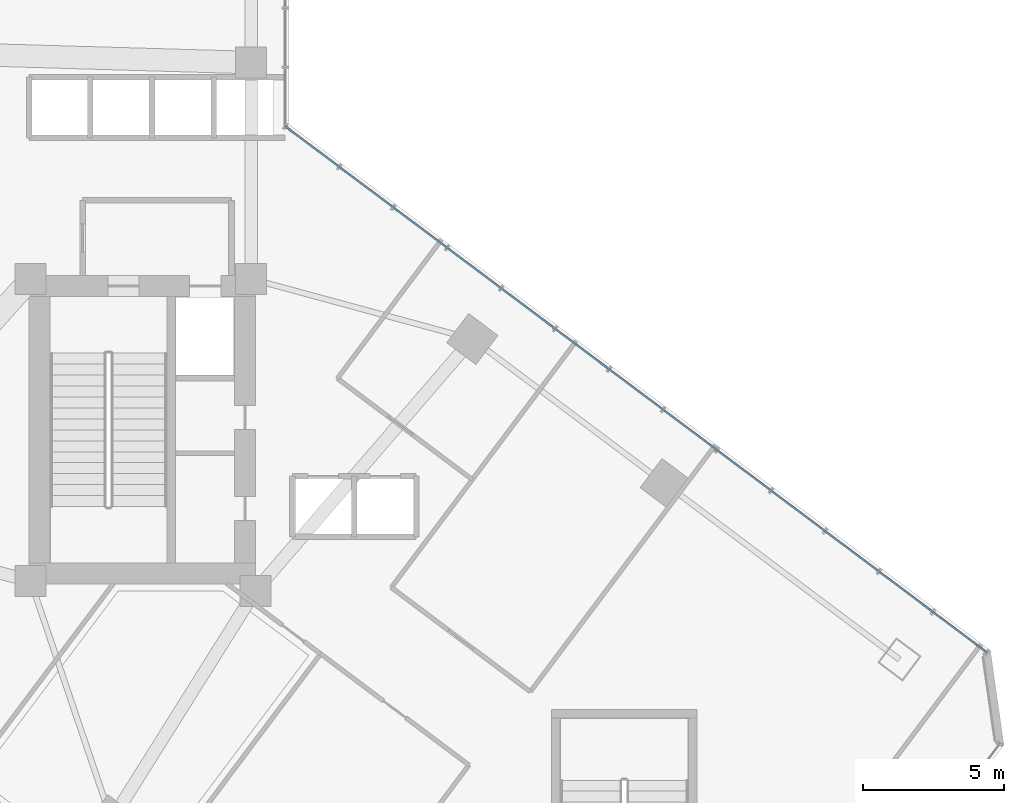
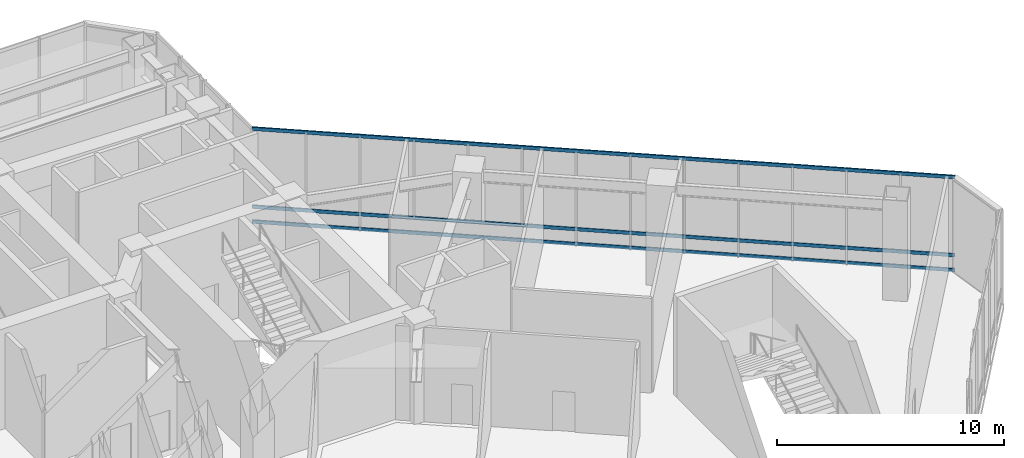
# One storey, part 8 of 35: 3 members, 1 element without a shape of its own.
"""IFC4 building model written with IfcOpenShell, lengths in metres."""

from ifc_helpers import new_model, si_unit, direction, frame, origin, origin_2d, place, context, subcontext, project, spatial, hollow_rectangle, extrude, material, layer, layer_set, material_profile, profile_set, type_object, element, aggregate, save


model = new_model("IFC4")

# Units and contexts
model_context = context("Model", 3, precision=1e-05, world=origin(), true_north=direction((0.0, 1.0)))
body_context = subcontext(model_context, "Body", "Model", "MODEL_VIEW")
ifc_project = project(units=[si_unit("LENGTHUNIT", "METRE"), si_unit("AREAUNIT", "SQUARE_METRE"), si_unit("VOLUMEUNIT", "CUBIC_METRE"), si_unit("PLANEANGLEUNIT", "RADIAN"), si_unit("MASSUNIT", "GRAM", prefix="KILO")], contexts=[model_context])

# Site, building, storey
site_placement = place(None, origin())
site = spatial("IfcSite", under=ifc_project, at=site_placement, CompositionType="ELEMENT")
building_placement = place(site_placement, origin())
building = spatial("IfcBuilding", under=site, at=building_placement, Name="Hatsunagi Terrace Concourse", CompositionType="ELEMENT")
storey_placement = place(building_placement, frame((0.0, 0.0, 16.199951171875)))
storey = spatial("IfcBuildingStorey", under=building, at=storey_placement, Name="L04", CompositionType="ELEMENT", Elevation=16.199951171875)

# Curtain wall, members
ifc_material_1 = material(Name="Anodised Aluminium Alloy 6063-T5", Category="aluminium")
ifc_layer = layer(ifc_material_1, 0.199951171875)
ifc_layer_set = layer_set([ifc_layer], Name="PodiumStorefront_CW01")
curtain_wall_type = type_object("IfcCurtainWallType", Name="PodiumStorefront_CW01", PredefinedType="NOTDEFINED", material=ifc_layer_set)
curtain_wall_placement = place(storey_placement, origin())
curtain_wall = element("IfcCurtainWall", 1, at=curtain_wall_placement, inside=storey, type_object=curtain_wall_type, Name="Unitised Curtain Wall CW-01 CW-L04-01", PredefinedType="NOTDEFINED")
ifc_material_2 = material(Name="Anodised Aluminium Alloy 6063-T5", Category="aluminium")
ifc_material_profile = material_profile(ifc_material_2, hollow_rectangle(XDim=0.070068359375, YDim=0.179931640625, WallThickness=0.00390625, at=origin_2d()), Name="ALU-TRN-180x70x4")
ifc_profile_set = profile_set([ifc_material_profile], Name="Anodised Aluminium Alloy 6063-T5")
member_type = type_object("IfcMemberType", Name="CurtainWallTransom_Heavy_180x70", PredefinedType="USERDEFINED", material=ifc_profile_set)
member_1_placement = place(storey_placement, frame((44.860107421875, 40.72998046875, 0.050048828125), z_axis=(0.800006570398, -0.599991239369, 0.0), x_axis=(0.599991239369, 0.800006570398, 0.0)))
member_1 = element("IfcMember", 2, at=member_1_placement, type_object=member_type, Name="Curtain Wall Transom TRN-01", ObjectType="TRANSOM", PredefinedType="USERDEFINED", context=body_context, shape_type="SweptSolid", body=[
    extrude(hollow_rectangle(XDim=0.070068359375, YDim=0.179931640625, WallThickness=0.00390625, at=origin_2d()), origin(), (0.0, 0.0, 1.0), 31.212158203125),
])
member_2_placement = place(storey_placement, frame((44.860107421875, 40.72998046875, 0.85009765625), z_axis=(0.800006570398, -0.599991239369, 0.0), x_axis=(0.599991239369, 0.800006570398, 0.0)))
member_2 = element("IfcMember", 3, at=member_2_placement, type_object=member_type, Name="Curtain Wall Transom TRN-01", ObjectType="TRANSOM", PredefinedType="USERDEFINED", context=body_context, shape_type="SweptSolid", body=[
    extrude(hollow_rectangle(XDim=0.070068359375, YDim=0.179931640625, WallThickness=0.00390625, at=origin_2d()), origin(), (0.0, 0.0, 1.0), 31.212158203125),
])
member_3_placement = place(storey_placement, frame((44.860107421875, 40.72998046875, 5.050048828125), z_axis=(0.800006570398, -0.599991239369, 0.0), x_axis=(0.599991239369, 0.800006570398, 0.0)))
member_3 = element("IfcMember", 4, at=member_3_placement, type_object=member_type, Name="Curtain Wall Transom TRN-01", ObjectType="TRANSOM", PredefinedType="USERDEFINED", context=body_context, shape_type="SweptSolid", body=[
    extrude(hollow_rectangle(XDim=0.070068359375, YDim=0.179931640625, WallThickness=0.00390625, at=origin_2d()), origin(), (0.0, 0.0, 1.0), 31.212158203125),
])
aggregate(curtain_wall, [member_1, member_2, member_3])

save(model, "model.ifc")
